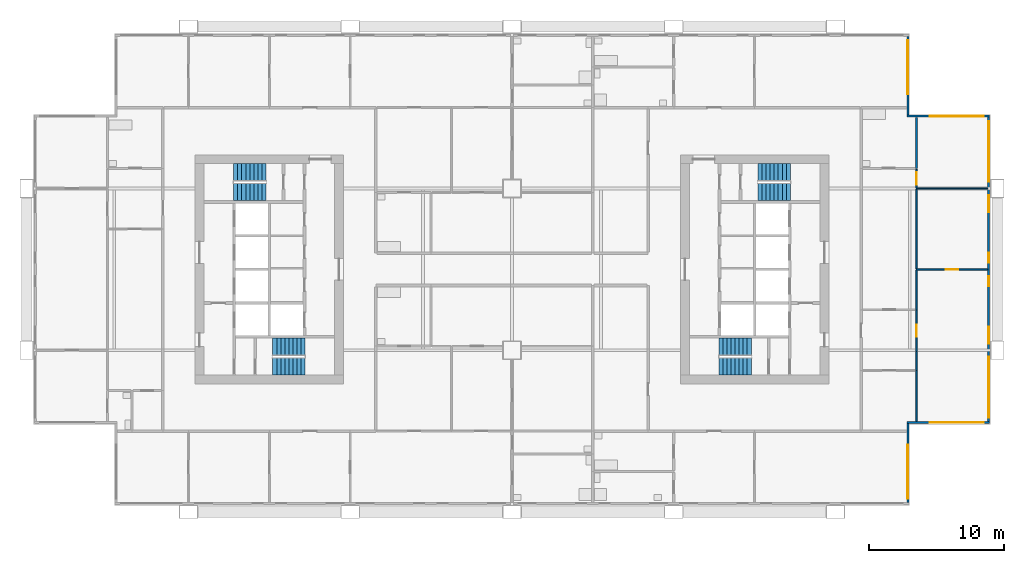
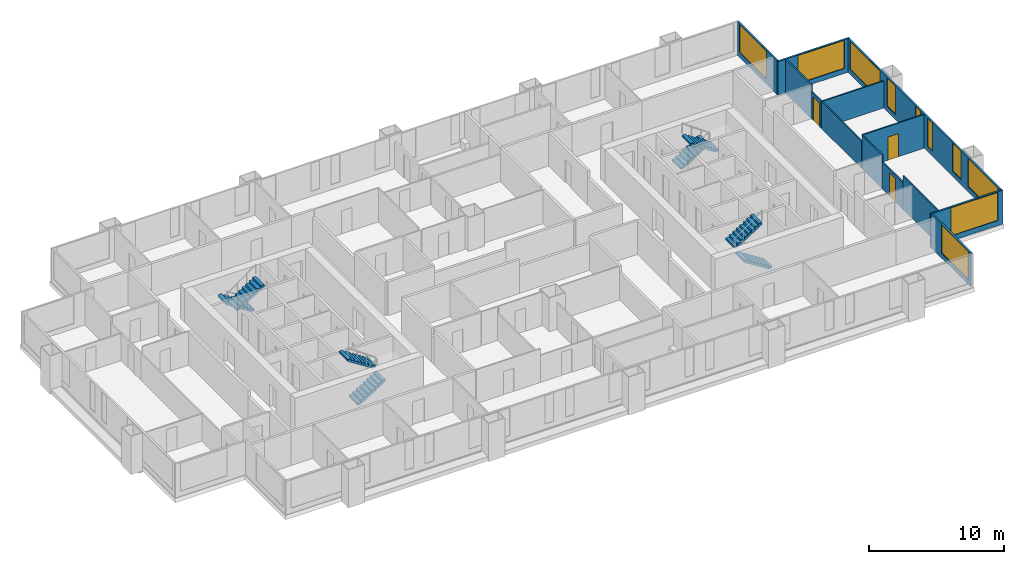
# One storey, part 9 of 11: 14 walls, 10 windows, 8 stair flights, 3 doors, 13 openings, 4 elements without a shape of their own.
"""IFC4 building model written with IfcOpenShell, lengths in metres."""

from ifc_helpers import new_model, si_unit, direction, frame, frame_2d, origin, place, context, subcontext, project, spatial, polyline, rectangle, outline, extrude, material, layer, layer_set, type_object, element, fill, aggregate, save


model = new_model("IFC4")

# Units and contexts
model_context = context("Model", 3, precision=1e-05, world=origin(), true_north=direction((0.0, 1.0)))
body_context = subcontext(model_context, "Body", "Model", "MODEL_VIEW")
ifc_project = project(units=[si_unit("LENGTHUNIT", "METRE"), si_unit("AREAUNIT", "SQUARE_METRE"), si_unit("VOLUMEUNIT", "CUBIC_METRE"), si_unit("PLANEANGLEUNIT", "RADIAN"), si_unit("MASSUNIT", "GRAM", prefix="KILO")], contexts=[model_context])

# Site, building, storey
site_placement = place(None, origin())
site = spatial("IfcSite", under=ifc_project, at=site_placement, CompositionType="ELEMENT")
building_placement = place(site_placement, origin())
building = spatial("IfcBuilding", under=site, at=building_placement, Name="Kitamizu Gate Tower and Museum", CompositionType="ELEMENT")
storey_placement = place(building_placement, frame((0.0, 0.0, 124.199951171875)))
storey = spatial("IfcBuildingStorey", under=building, at=storey_placement, Name="L32", CompositionType="ELEMENT", Elevation=124.199951171875)

# Wall, opening, door
ifc_material_1 = material(Name="Gypsum board on galvanised stud")
ifc_layer_1 = layer(ifc_material_1, 0.10009765625)
ifc_layer_set_1 = layer_set([ifc_layer_1], Name="Gypsum board on galvanised stud")
wall_type_1 = type_object("IfcWallType", Name="Partition 100 NOT RATED", PredefinedType="PARTITIONING", material=ifc_layer_set_1)
wall_1_placement = place(storey_placement, frame((71.280029296875, 30.0, 0.0), z_axis=(0.0, 0.0, 1.0), x_axis=(-1.0, 0.0, 0.0)))
wall_1 = element("IfcWall", 1, at=wall_1_placement, inside=storey, type_object=wall_type_1, Name="Partition L32-098", PredefinedType="PARTITIONING", context=body_context, shape_type="SweptSolid", body=[
    extrude(rectangle(XDim=5.280029296875, YDim=0.10009765625, at=frame_2d((2.64013671875, 0.0))), origin(), (0.0, 0.0, 1.0), 3.050048828125),
])
opening_1_placement = place(wall_1_placement, frame((2.18994140625, 0.0, 0.0)))
opening_1 = element("IfcOpeningElement", 2, at=opening_1_placement, cuts=wall_1, Name="Opening L32-038", PredefinedType="OPENING", context=body_context, shape_type="SweptSolid", body=[
    extrude(rectangle(XDim=0.89990234375, YDim=2.10009765625, at=frame_2d((0.449951171875, 1.050048828125))), frame((0.0, 0.06005859375, 0.0), z_axis=(0.0, -1.0, 0.0), x_axis=(1.0, 0.0, 0.0)), (0.0, 0.0, 1.0), 0.1201171875),
])
ifc_material_2 = material(Name="Timber door set", Category="wood")
door_type = type_object("IfcDoorType", Name="Room door 900", OperationType="NOTDEFINED", PredefinedType="DOOR", material=ifc_material_2)
door_1_placement = place(opening_1_placement, frame((0.89990234375, 0.0, 0.0), x_axis=(-1.0, 0.0, 0.0)))
door_1 = element("IfcDoor", 3, at=door_1_placement, inside=storey, type_object=door_type, Name="Door L32-038", OperationType="SINGLE_SWING_LEFT", OverallHeight=2.10009765625, OverallWidth=0.89990234375, PredefinedType="DOOR", context=body_context, shape_type="SweptSolid", body=[
    extrude(rectangle(XDim=0.89990234375, YDim=2.10009765625, at=frame_2d((0.449951171875, 1.050048828125))), frame((0.0, 0.02490234375, 0.0), z_axis=(0.0, -1.0, 0.0), x_axis=(1.0, 0.0, 0.0)), (0.0, 0.0, 1.0), 0.050048828125),
])
fill(opening_1, door_1)

# Wall
wall_2_placement = place(storey_placement, frame((66.0, 22.5, 0.0), z_axis=(0.0, 0.0, 1.0), x_axis=(0.0, -1.0, 0.0)))
element("IfcWall", 4, at=wall_2_placement, inside=storey, type_object=wall_type_1, Name="Partition L32-099", PredefinedType="PARTITIONING", context=body_context, shape_type="SweptSolid", body=[
    extrude(rectangle(XDim=3.780029296875, YDim=0.10009765625, at=frame_2d((1.89013671875, 0.0))), origin(), (0.0, 0.0, 1.0), 3.050048828125),
])

# Wall, opening, door
wall_3_placement = place(storey_placement, frame((66.0, 27.0, 0.0), z_axis=(0.0, 0.0, 1.0), x_axis=(0.0, -1.0, 0.0)))
wall_3 = element("IfcWall", 5, at=wall_3_placement, inside=storey, type_object=wall_type_1, Name="Partition L32-100", PredefinedType="PARTITIONING", context=body_context, shape_type="SweptSolid", body=[
    extrude(rectangle(XDim=3.10009765625, YDim=0.10009765625, at=frame_2d((1.550048828125, 0.0))), origin(), (0.0, 0.0, 1.0), 2.449951171875),
])
opening_2_placement = place(wall_3_placement, frame((1.10009765625, 0.0, 0.0)))
opening_2 = element("IfcOpeningElement", 6, at=opening_2_placement, cuts=wall_3, Name="Opening L32-036", PredefinedType="OPENING", context=body_context, shape_type="SweptSolid", body=[
    extrude(rectangle(XDim=0.89990234375, YDim=2.10009765625, at=frame_2d((0.449951171875, 1.050048828125))), frame((0.0, 0.06005859375, 0.0), z_axis=(0.0, -1.0, 0.0), x_axis=(1.0, 0.0, 0.0)), (0.0, 0.0, 1.0), 0.1201171875),
])
door_2_placement = place(opening_2_placement, origin())
door_2 = element("IfcDoor", 7, at=door_2_placement, inside=storey, type_object=door_type, Name="Door L32-036", OperationType="SINGLE_SWING_RIGHT", OverallHeight=2.10009765625, OverallWidth=0.89990234375, PredefinedType="DOOR", context=body_context, shape_type="SweptSolid", body=[
    extrude(rectangle(XDim=0.89990234375, YDim=2.10009765625, at=frame_2d((0.449951171875, 1.050048828125))), frame((0.0, 0.02490234375, 0.0), z_axis=(0.0, -1.0, 0.0), x_axis=(1.0, 0.0, 0.0)), (0.0, 0.0, 1.0), 0.050048828125),
])
fill(opening_2, door_2)

# Walls
wall_4_placement = place(storey_placement, frame((66.0, 23.89990234375, 0.0), z_axis=(0.0, 0.0, 1.0), x_axis=(0.0, -1.0, 0.0)))
element("IfcWall", 8, at=wall_4_placement, inside=storey, type_object=wall_type_1, Name="Partition L32-101", PredefinedType="PARTITIONING", context=body_context, shape_type="SweptSolid", body=[
    extrude(rectangle(XDim=1.39990234375, YDim=0.10009765625, at=frame_2d((0.699951171875, 0.0))), origin(), (0.0, 0.0, 1.0), 3.050048828125),
])
wall_5_placement = place(storey_placement, frame((66.0, 29.949951171875, 0.0), z_axis=(0.0, 0.0, 1.0), x_axis=(0.0, -1.0, 0.0)))
element("IfcWall", 9, at=wall_5_placement, inside=storey, type_object=wall_type_1, Name="Partition L32-102", PredefinedType="PARTITIONING", context=body_context, shape_type="SweptSolid", body=[
    extrude(rectangle(XDim=2.949951171875, YDim=0.10009765625, at=frame_2d((1.47509765625, 0.0))), origin(), (0.0, 0.0, 1.0), 3.050048828125),
])
wall_6_placement = place(storey_placement, frame((71.280029296875, 36.0, 0.0), z_axis=(0.0, 0.0, 1.0), x_axis=(-1.0, 0.0, 0.0)))
element("IfcWall", 10, at=wall_6_placement, inside=storey, type_object=wall_type_1, Name="Partition L32-103", PredefinedType="PARTITIONING", context=body_context, shape_type="SweptSolid", body=[
    extrude(rectangle(XDim=5.280029296875, YDim=0.10009765625, at=frame_2d((2.64013671875, 0.0))), origin(), (0.0, 0.0, 1.0), 2.449951171875),
])
wall_7_placement = place(storey_placement, frame((66.0, 35.949951171875, 0.0), z_axis=(0.0, 0.0, 1.0), x_axis=(0.0, -1.0, 0.0)))
element("IfcWall", 11, at=wall_7_placement, inside=storey, type_object=wall_type_1, Name="Partition L32-104", PredefinedType="PARTITIONING", context=body_context, shape_type="SweptSolid", body=[
    extrude(rectangle(XDim=5.89990234375, YDim=0.10009765625, at=frame_2d((2.949951171875, 0.0))), origin(), (0.0, 0.0, 1.0), 2.449951171875),
])

# Wall, opening, door
wall_8_placement = place(storey_placement, frame((66.0, 37.425048828125, 0.0), z_axis=(0.0, 0.0, 1.0), x_axis=(0.0, -1.0, 0.0)))
wall_8 = element("IfcWall", 12, at=wall_8_placement, inside=storey, type_object=wall_type_1, Name="Partition L32-105", PredefinedType="PARTITIONING", context=body_context, shape_type="SweptSolid", body=[
    extrude(rectangle(XDim=1.375, YDim=0.10009765625, at=frame_2d((0.6875, 0.0))), origin(), (0.0, 0.0, 1.0), 2.449951171875),
])
opening_3_placement = place(wall_8_placement, frame((0.237548828125, 0.0, 0.0)))
opening_3 = element("IfcOpeningElement", 13, at=opening_3_placement, cuts=wall_8, Name="Opening L32-039", PredefinedType="OPENING", context=body_context, shape_type="SweptSolid", body=[
    extrude(rectangle(XDim=0.89990234375, YDim=2.10009765625, at=frame_2d((0.449951171875, 1.050048828125))), frame((0.0, 0.06005859375, 0.0), z_axis=(0.0, -1.0, 0.0), x_axis=(1.0, 0.0, 0.0)), (0.0, 0.0, 1.0), 0.1201171875),
])
door_3_placement = place(opening_3_placement, origin())
door_3 = element("IfcDoor", 14, at=door_3_placement, inside=storey, type_object=door_type, Name="Door L32-039", OperationType="SINGLE_SWING_LEFT", OverallHeight=2.10009765625, OverallWidth=0.89990234375, PredefinedType="DOOR", context=body_context, shape_type="SweptSolid", body=[
    extrude(rectangle(XDim=0.89990234375, YDim=2.10009765625, at=frame_2d((0.449951171875, 1.050048828125))), frame((0.0, 0.02490234375, 0.0), z_axis=(0.0, -1.0, 0.0), x_axis=(1.0, 0.0, 0.0)), (0.0, 0.0, 1.0), 0.050048828125),
])
fill(opening_3, door_3)

# Wall
ifc_material_3 = material(Name="Gypsum board on galvanised stud")
ifc_layer_2 = layer(ifc_material_3, 0.14990234375)
ifc_layer_set_2 = layer_set([ifc_layer_2], Name="Gypsum board on galvanised stud")
wall_type_2 = type_object("IfcWallType", Name="Partition 150", PredefinedType="PARTITIONING", material=ifc_layer_set_2)
wall_9_placement = place(storey_placement, frame((66.0, 41.280029296875, 0.0), z_axis=(0.0, 0.0, 1.0), x_axis=(0.0, -1.0, 0.0)))
element("IfcWall", 15, at=wall_9_placement, inside=storey, type_object=wall_type_2, Name="Partition L32-106", PredefinedType="PARTITIONING", context=body_context, shape_type="SweptSolid", body=[
    extrude(rectangle(XDim=3.780029296875, YDim=0.14990234375, at=frame_2d((1.89013671875, 0.0))), origin(), (0.0, 0.0, 1.0), 3.050048828125),
])

# Wall, opening, window
ifc_material_4 = material(Name="Bronze anodised aluminium frame with insulated spandrel and tinted glass", Category="aluminium")
ifc_layer_3 = layer(ifc_material_4, 0.14990234375)
ifc_layer_set_3 = layer_set([ifc_layer_3], Name="Bronze anodised aluminium frame with insulated spandrel and tinted glass")
wall_type_3 = type_object("IfcWallType", Name="WINDOW WALL 150 BRONZE FRAME EI 30", PredefinedType="ELEMENTEDWALL", material=ifc_layer_set_3)
wall_10_placement = place(storey_placement, frame((65.364990234375, 12.7099609375, 0.0), z_axis=(0.0, 0.0, 1.0), x_axis=(0.0, 1.0, 0.0)))
wall_10 = element("IfcWall", 16, at=wall_10_placement, inside=storey, type_object=wall_type_3, Name="Window wall east L32", PredefinedType="ELEMENTEDWALL", context=body_context, shape_type="SweptSolid", body=[
    extrude(rectangle(XDim=5.85009765625, YDim=0.14990234375, at=frame_2d((2.925048828125, 0.0))), origin(), (0.0, 0.0, 1.0), 3.050048828125),
])
opening_4_placement = place(wall_10_placement, frame((0.2900390625, 0.0, 0.449951171875)))
opening_4 = element("IfcOpeningElement", 17, at=opening_4_placement, cuts=wall_10, Name="Opening W16", PredefinedType="OPENING", context=body_context, shape_type="SweptSolid", body=[
    extrude(rectangle(XDim=4.0, YDim=2.550048828125, at=frame_2d((2.0, 1.27490234375))), frame((0.0, 0.0849609375, 0.0), z_axis=(0.0, -1.0, 0.0), x_axis=(1.0, 0.0, 0.0)), (0.0, 0.0, 1.0), 0.169921875),
])
ifc_material_5 = material(Name="Bronze anodised aluminium frame, tinted triple glazing", Category="aluminium")
window_type_1 = type_object("IfcWindowType", Name="WINDOW 4000 x 2550 SILL 450", PartitioningType="SINGLE_PANEL", PredefinedType="WINDOW", material=ifc_material_5)
window_1_placement = place(opening_4_placement, origin())
window_1 = element("IfcWindow", 18, at=window_1_placement, inside=storey, type_object=window_type_1, Name="Window W16 L32", OverallHeight=2.550048828125, OverallWidth=4.0, PartitioningType="SINGLE_PANEL", PredefinedType="WINDOW", context=body_context, shape_type="SweptSolid", body=[
    extrude(rectangle(XDim=4.0, YDim=2.550048828125, at=frame_2d((2.0, 1.27490234375))), frame((0.0, 0.030029296875, 0.0), z_axis=(0.0, -1.0, 0.0), x_axis=(1.0, 0.0, 0.0)), (0.0, 0.0, 1.0), 0.06005859375),
])
fill(opening_4, window_1)

wall_11_placement = place(storey_placement, frame((65.2900390625, 18.635009765625, 0.0), z_axis=(0.0, 0.0, 1.0), x_axis=(1.0, 0.0, 0.0)))
wall_11 = element("IfcWall", 19, at=wall_11_placement, inside=storey, type_object=wall_type_3, Name="Window wall south L32", PredefinedType="ELEMENTEDWALL", context=body_context, shape_type="SweptSolid", body=[
    extrude(rectangle(XDim=6.14990234375, YDim=0.14990234375, at=frame_2d((3.074951171875, 0.0))), origin(), (0.0, 0.0, 1.0), 3.050048828125),
])
opening_5_placement = place(wall_11_placement, frame((1.7099609375, 0.0, 0.449951171875)))
opening_5 = element("IfcOpeningElement", 20, at=opening_5_placement, cuts=wall_11, Name="Opening W16", PredefinedType="OPENING", context=body_context, shape_type="SweptSolid", body=[
    extrude(rectangle(XDim=4.0, YDim=2.550048828125, at=frame_2d((2.0, 1.27490234375))), frame((0.0, 0.0849609375, 0.0), z_axis=(0.0, -1.0, 0.0), x_axis=(1.0, 0.0, 0.0)), (0.0, 0.0, 1.0), 0.169921875),
])
window_2_placement = place(opening_5_placement, origin())
window_2 = element("IfcWindow", 21, at=window_2_placement, inside=storey, type_object=window_type_1, Name="Window W16 L32", OverallHeight=2.550048828125, OverallWidth=4.0, PartitioningType="SINGLE_PANEL", PredefinedType="WINDOW", context=body_context, shape_type="SweptSolid", body=[
    extrude(rectangle(XDim=4.0, YDim=2.550048828125, at=frame_2d((2.0, 1.27490234375))), frame((0.0, 0.030029296875, 0.0), z_axis=(0.0, -1.0, 0.0), x_axis=(1.0, 0.0, 0.0)), (0.0, 0.0, 1.0), 0.06005859375),
])
fill(opening_5, window_2)

# Wall, openings, windows
wall_12_placement = place(storey_placement, frame((71.364990234375, 18.7099609375, 0.0), z_axis=(0.0, 0.0, 1.0), x_axis=(0.0, 1.0, 0.0)))
wall_12 = element("IfcWall", 22, at=wall_12_placement, inside=storey, type_object=wall_type_3, Name="Window wall east L32", PredefinedType="ELEMENTEDWALL", context=body_context, shape_type="SweptSolid", body=[
    extrude(rectangle(XDim=22.580078125, YDim=0.14990234375, at=frame_2d((11.2900390625, 0.0))), origin(), (0.0, 0.0, 1.0), 3.050048828125),
])
opening_6_placement = place(wall_12_placement, frame((0.2900390625, 0.0, 0.449951171875)))
opening_6 = element("IfcOpeningElement", 23, at=opening_6_placement, cuts=wall_12, Name="Opening W15", PredefinedType="OPENING", context=body_context, shape_type="SweptSolid", body=[
    extrude(rectangle(XDim=4.5, YDim=2.550048828125, at=frame_2d((2.25, 1.27490234375))), frame((0.0, 0.0849609375, 0.0), z_axis=(0.0, -1.0, 0.0), x_axis=(1.0, 0.0, 0.0)), (0.0, 0.0, 1.0), 0.169921875),
])
opening_7_placement = place(wall_12_placement, frame((5.7900390625, 0.0, 0.449951171875)))
opening_7 = element("IfcOpeningElement", 24, at=opening_7_placement, cuts=wall_12, Name="Opening W27", PredefinedType="OPENING", context=body_context, shape_type="SweptSolid", body=[
    extrude(rectangle(XDim=1.25, YDim=2.550048828125, at=frame_2d((0.625, 1.27490234375))), frame((0.0, 0.0849609375, 0.0), z_axis=(0.0, -1.0, 0.0), x_axis=(1.0, 0.0, 0.0)), (0.0, 0.0, 1.0), 0.169921875),
])
opening_8_placement = place(wall_12_placement, frame((10.0400390625, 0.0, 0.449951171875)))
opening_8 = element("IfcOpeningElement", 25, at=opening_8_placement, cuts=wall_12, Name="Opening W25", PredefinedType="OPENING", context=body_context, shape_type="SweptSolid", body=[
    extrude(rectangle(XDim=0.75, YDim=2.550048828125, at=frame_2d((0.375, 1.27490234375))), frame((0.0, 0.0849609375, 0.0), z_axis=(0.0, -1.0, 0.0), x_axis=(1.0, 0.0, 0.0)), (0.0, 0.0, 1.0), 0.169921875),
])
opening_9_placement = place(wall_12_placement, frame((11.7900390625, 0.0, 0.449951171875)))
opening_9 = element("IfcOpeningElement", 26, at=opening_9_placement, cuts=wall_12, Name="Opening W25", PredefinedType="OPENING", context=body_context, shape_type="SweptSolid", body=[
    extrude(rectangle(XDim=0.75, YDim=2.550048828125, at=frame_2d((0.375, 1.27490234375))), frame((0.0, 0.0849609375, 0.0), z_axis=(0.0, -1.0, 0.0), x_axis=(1.0, 0.0, 0.0)), (0.0, 0.0, 1.0), 0.169921875),
])
opening_10_placement = place(wall_12_placement, frame((15.5400390625, 0.0, 0.449951171875)))
opening_10 = element("IfcOpeningElement", 27, at=opening_10_placement, cuts=wall_12, Name="Opening W27", PredefinedType="OPENING", context=body_context, shape_type="SweptSolid", body=[
    extrude(rectangle(XDim=1.25, YDim=2.550048828125, at=frame_2d((0.625, 1.27490234375))), frame((0.0, 0.0849609375, 0.0), z_axis=(0.0, -1.0, 0.0), x_axis=(1.0, 0.0, 0.0)), (0.0, 0.0, 1.0), 0.169921875),
])
opening_11_placement = place(wall_12_placement, frame((17.7900390625, 0.0, 0.449951171875)))
opening_11 = element("IfcOpeningElement", 28, at=opening_11_placement, cuts=wall_12, Name="Opening W15", PredefinedType="OPENING", context=body_context, shape_type="SweptSolid", body=[
    extrude(rectangle(XDim=4.5, YDim=2.550048828125, at=frame_2d((2.25, 1.27490234375))), frame((0.0, 0.0849609375, 0.0), z_axis=(0.0, -1.0, 0.0), x_axis=(1.0, 0.0, 0.0)), (0.0, 0.0, 1.0), 0.169921875),
])
ifc_material_6 = material(Name="Bronze anodised aluminium frame, tinted triple glazing", Category="aluminium")
window_type_2 = type_object("IfcWindowType", Name="WINDOW 1250 x 2550 SILL 450", PartitioningType="SINGLE_PANEL", PredefinedType="WINDOW", material=ifc_material_6)
window_3_placement = place(opening_7_placement, origin())
window_3 = element("IfcWindow", 29, at=window_3_placement, inside=storey, type_object=window_type_2, Name="Window W27 L32", OverallHeight=2.550048828125, OverallWidth=1.25, PartitioningType="SINGLE_PANEL", PredefinedType="WINDOW", context=body_context, shape_type="SweptSolid", body=[
    extrude(rectangle(XDim=1.25, YDim=2.550048828125, at=frame_2d((0.625, 1.27490234375))), frame((0.0, 0.030029296875, 0.0), z_axis=(0.0, -1.0, 0.0), x_axis=(1.0, 0.0, 0.0)), (0.0, 0.0, 1.0), 0.06005859375),
])
fill(opening_7, window_3)
window_4_placement = place(opening_10_placement, origin())
window_4 = element("IfcWindow", 30, at=window_4_placement, inside=storey, type_object=window_type_2, Name="Window W27 L32", OverallHeight=2.550048828125, OverallWidth=1.25, PartitioningType="SINGLE_PANEL", PredefinedType="WINDOW", context=body_context, shape_type="SweptSolid", body=[
    extrude(rectangle(XDim=1.25, YDim=2.550048828125, at=frame_2d((0.625, 1.27490234375))), frame((0.0, 0.030029296875, 0.0), z_axis=(0.0, -1.0, 0.0), x_axis=(1.0, 0.0, 0.0)), (0.0, 0.0, 1.0), 0.06005859375),
])
fill(opening_10, window_4)
ifc_material_7 = material(Name="Bronze anodised aluminium frame, tinted triple glazing", Category="aluminium")
window_type_3 = type_object("IfcWindowType", Name="WINDOW 4500 x 2550 SILL 450", PartitioningType="SINGLE_PANEL", PredefinedType="WINDOW", material=ifc_material_7)
window_5_placement = place(opening_6_placement, origin())
window_5 = element("IfcWindow", 31, at=window_5_placement, inside=storey, type_object=window_type_3, Name="Window W15 L32", OverallHeight=2.550048828125, OverallWidth=4.5, PartitioningType="SINGLE_PANEL", PredefinedType="WINDOW", context=body_context, shape_type="SweptSolid", body=[
    extrude(rectangle(XDim=4.5, YDim=2.550048828125, at=frame_2d((2.25, 1.27490234375))), frame((0.0, 0.030029296875, 0.0), z_axis=(0.0, -1.0, 0.0), x_axis=(1.0, 0.0, 0.0)), (0.0, 0.0, 1.0), 0.06005859375),
])
fill(opening_6, window_5)
window_6_placement = place(opening_11_placement, origin())
window_6 = element("IfcWindow", 32, at=window_6_placement, inside=storey, type_object=window_type_3, Name="Window W15 L32", OverallHeight=2.550048828125, OverallWidth=4.5, PartitioningType="SINGLE_PANEL", PredefinedType="WINDOW", context=body_context, shape_type="SweptSolid", body=[
    extrude(rectangle(XDim=4.5, YDim=2.550048828125, at=frame_2d((2.25, 1.27490234375))), frame((0.0, 0.030029296875, 0.0), z_axis=(0.0, -1.0, 0.0), x_axis=(1.0, 0.0, 0.0)), (0.0, 0.0, 1.0), 0.06005859375),
])
fill(opening_11, window_6)
ifc_material_8 = material(Name="Bronze anodised aluminium frame, tinted triple glazing", Category="aluminium")
window_type_4 = type_object("IfcWindowType", Name="WINDOW 750 x 2550 SILL 450", PartitioningType="SINGLE_PANEL", PredefinedType="WINDOW", material=ifc_material_8)
window_7_placement = place(opening_8_placement, origin())
window_7 = element("IfcWindow", 33, at=window_7_placement, inside=storey, type_object=window_type_4, Name="Window W25 L32", OverallHeight=2.550048828125, OverallWidth=0.75, PartitioningType="SINGLE_PANEL", PredefinedType="WINDOW", context=body_context, shape_type="SweptSolid", body=[
    extrude(rectangle(XDim=0.75, YDim=2.550048828125, at=frame_2d((0.375, 1.27490234375))), frame((0.0, 0.030029296875, 0.0), z_axis=(0.0, -1.0, 0.0), x_axis=(1.0, 0.0, 0.0)), (0.0, 0.0, 1.0), 0.06005859375),
])
fill(opening_8, window_7)
window_8_placement = place(opening_9_placement, origin())
window_8 = element("IfcWindow", 34, at=window_8_placement, inside=storey, type_object=window_type_4, Name="Window W25 L32", OverallHeight=2.550048828125, OverallWidth=0.75, PartitioningType="SINGLE_PANEL", PredefinedType="WINDOW", context=body_context, shape_type="SweptSolid", body=[
    extrude(rectangle(XDim=0.75, YDim=2.550048828125, at=frame_2d((0.375, 1.27490234375))), frame((0.0, 0.030029296875, 0.0), z_axis=(0.0, -1.0, 0.0), x_axis=(1.0, 0.0, 0.0)), (0.0, 0.0, 1.0), 0.06005859375),
])
fill(opening_9, window_8)

# Wall, opening, window
wall_13_placement = place(storey_placement, frame((65.2900390625, 41.364990234375, 0.0), z_axis=(0.0, 0.0, 1.0), x_axis=(1.0, 0.0, 0.0)))
wall_13 = element("IfcWall", 35, at=wall_13_placement, inside=storey, type_object=wall_type_3, Name="Window wall north L32", PredefinedType="ELEMENTEDWALL", context=body_context, shape_type="SweptSolid", body=[
    extrude(rectangle(XDim=6.14990234375, YDim=0.14990234375, at=frame_2d((3.074951171875, 0.0))), origin(), (0.0, 0.0, 1.0), 3.050048828125),
])
opening_12_placement = place(wall_13_placement, frame((1.7099609375, 0.0, 0.449951171875)))
opening_12 = element("IfcOpeningElement", 36, at=opening_12_placement, cuts=wall_13, Name="Opening W16", PredefinedType="OPENING", context=body_context, shape_type="SweptSolid", body=[
    extrude(rectangle(XDim=4.0, YDim=2.550048828125, at=frame_2d((2.0, 1.27490234375))), frame((0.0, 0.0849609375, 0.0), z_axis=(0.0, -1.0, 0.0), x_axis=(1.0, 0.0, 0.0)), (0.0, 0.0, 1.0), 0.169921875),
])
window_9_placement = place(opening_12_placement, origin())
window_9 = element("IfcWindow", 37, at=window_9_placement, inside=storey, type_object=window_type_1, Name="Window W16 L32", OverallHeight=2.550048828125, OverallWidth=4.0, PartitioningType="SINGLE_PANEL", PredefinedType="WINDOW", context=body_context, shape_type="SweptSolid", body=[
    extrude(rectangle(XDim=4.0, YDim=2.550048828125, at=frame_2d((2.0, 1.27490234375))), frame((0.0, 0.030029296875, 0.0), z_axis=(0.0, -1.0, 0.0), x_axis=(1.0, 0.0, 0.0)), (0.0, 0.0, 1.0), 0.06005859375),
])
fill(opening_12, window_9)

wall_14_placement = place(storey_placement, frame((65.364990234375, 41.43994140625, 0.0), z_axis=(0.0, 0.0, 1.0), x_axis=(0.0, 1.0, 0.0)))
wall_14 = element("IfcWall", 38, at=wall_14_placement, inside=storey, type_object=wall_type_3, Name="Window wall east L32", PredefinedType="ELEMENTEDWALL", context=body_context, shape_type="SweptSolid", body=[
    extrude(rectangle(XDim=5.85009765625, YDim=0.14990234375, at=frame_2d((2.925048828125, 0.0))), origin(), (0.0, 0.0, 1.0), 3.050048828125),
])
opening_13_placement = place(wall_14_placement, frame((1.56005859375, 0.0, 0.449951171875)))
opening_13 = element("IfcOpeningElement", 39, at=opening_13_placement, cuts=wall_14, Name="Opening W16", PredefinedType="OPENING", context=body_context, shape_type="SweptSolid", body=[
    extrude(rectangle(XDim=4.0, YDim=2.550048828125, at=frame_2d((2.0, 1.27490234375))), frame((0.0, 0.0849609375, 0.0), z_axis=(0.0, -1.0, 0.0), x_axis=(1.0, 0.0, 0.0)), (0.0, 0.0, 1.0), 0.169921875),
])
window_10_placement = place(opening_13_placement, origin())
window_10 = element("IfcWindow", 40, at=window_10_placement, inside=storey, type_object=window_type_1, Name="Window W16 L32", OverallHeight=2.550048828125, OverallWidth=4.0, PartitioningType="SINGLE_PANEL", PredefinedType="WINDOW", context=body_context, shape_type="SweptSolid", body=[
    extrude(rectangle(XDim=4.0, YDim=2.550048828125, at=frame_2d((2.0, 1.27490234375))), frame((0.0, 0.030029296875, 0.0), z_axis=(0.0, -1.0, 0.0), x_axis=(1.0, 0.0, 0.0)), (0.0, 0.0, 1.0), 0.06005859375),
])
fill(opening_13, window_10)

# Stair, stair flights
ifc_material_9 = material(Name="Concrete Fc42", Category="concrete")
stair_type = type_object("IfcStairType", Name="Exit stair 1275 wide 192 rise 300 going", PredefinedType="HALF_TURN_STAIR", material=ifc_material_9)
stair_1_placement = place(storey_placement, origin())
stair_1 = element("IfcStair", 41, at=stair_1_placement, inside=storey, type_object=stair_type, Name="Exit stair ST1", PredefinedType="HALF_TURN_STAIR")
ifc_material_10 = material(Name="Concrete Fc42", Category="concrete")
stair_flight_type = type_object("IfcStairFlightType", Name="Stair flight 1275 wide 192 rise 300 going", PredefinedType="STRAIGHT", material=ifc_material_10)
stair_flight_1_placement = place(storey_placement, frame((18.25, 22.78759765625, 0.0), z_axis=(0.0, 0.0, 1.0), x_axis=(1.0, 0.0, 0.0)))
stair_flight_1 = element("IfcStairFlight", 42, at=stair_flight_1_placement, type_object=stair_flight_type, Name="ST1 flight 1", NumberOfRisers=9, NumberOfTreads=8, PredefinedType="STRAIGHT", RiserHeight=0.191666667, TreadLength=0.3, context=body_context, shape_type="SweptSolid", body=[
    extrude(outline(polyline([(0.0, 0.0), (0.0, 0.191650390625), (0.300048828125, 0.191650390625), (0.300048828125, 0.38330078125), (0.60009765625, 0.38330078125), (0.60009765625, 0.574951171875), (0.89990234375, 0.574951171875), (0.89990234375, 0.7666015625), (1.199951171875, 0.7666015625), (1.199951171875, 0.958251953125), (1.5, 0.958251953125), (1.5, 1.14990234375), (1.800048828125, 1.14990234375), (1.800048828125, 1.341552734375), (2.10009765625, 1.341552734375), (2.10009765625, 1.533447265625), (2.39990234375, 1.533447265625), (2.39990234375, 1.72509765625), (2.39990234375, 1.35546875), (0.2783203125, 0.0), (0.0, 0.0)])), frame((0.0, 0.637451171875, 0.0), z_axis=(0.0, -1.0, 0.0), x_axis=(1.0, 0.0, 0.0)), (0.0, 0.0, 1.0), 1.27490234375),
])
stair_flight_2_placement = place(storey_placement, frame((20.64990234375, 24.262451171875, 1.72509765625), z_axis=(0.0, 0.0, 1.0), x_axis=(-1.0, 0.0, 0.0)))
stair_flight_2 = element("IfcStairFlight", 43, at=stair_flight_2_placement, type_object=stair_flight_type, Name="ST1 flight 2", NumberOfRisers=9, NumberOfTreads=8, PredefinedType="STRAIGHT", RiserHeight=0.191666667, TreadLength=0.3, context=body_context, shape_type="SweptSolid", body=[
    extrude(outline(polyline([(0.0, 0.0), (0.0, 0.191650390625), (0.300048828125, 0.191650390625), (0.300048828125, 0.38330078125), (0.60009765625, 0.38330078125), (0.60009765625, 0.574951171875), (0.89990234375, 0.574951171875), (0.89990234375, 0.7666015625), (1.199951171875, 0.7666015625), (1.199951171875, 0.958251953125), (1.5, 0.958251953125), (1.5, 1.14990234375), (1.800048828125, 1.14990234375), (1.800048828125, 1.341552734375), (2.10009765625, 1.341552734375), (2.10009765625, 1.533447265625), (2.39990234375, 1.533447265625), (2.39990234375, 1.72509765625), (2.39990234375, 1.35546875), (0.2783203125, 0.0), (0.0, 0.0)])), frame((0.0, 0.637451171875, 0.0), z_axis=(0.0, -1.0, 0.0), x_axis=(1.0, 0.0, 0.0)), (0.0, 0.0, 1.0), 1.27490234375),
])
aggregate(stair_1, [stair_flight_1, stair_flight_2])

stair_2_placement = place(storey_placement, origin())
stair_2 = element("IfcStair", 44, at=stair_2_placement, inside=storey, type_object=stair_type, Name="Exit stair ST2", PredefinedType="HALF_TURN_STAIR")
stair_flight_3_placement = place(storey_placement, frame((17.75, 37.21240234375, 0.0), z_axis=(0.0, 0.0, 1.0), x_axis=(-1.0, 0.0, 0.0)))
stair_flight_3 = element("IfcStairFlight", 45, at=stair_flight_3_placement, type_object=stair_flight_type, Name="ST2 flight 1", NumberOfRisers=9, NumberOfTreads=8, PredefinedType="STRAIGHT", RiserHeight=0.191666667, TreadLength=0.3, context=body_context, shape_type="SweptSolid", body=[
    extrude(outline(polyline([(0.0, 0.0), (0.0, 0.191650390625), (0.300048828125, 0.191650390625), (0.300048828125, 0.38330078125), (0.60009765625, 0.38330078125), (0.60009765625, 0.574951171875), (0.89990234375, 0.574951171875), (0.89990234375, 0.7666015625), (1.199951171875, 0.7666015625), (1.199951171875, 0.958251953125), (1.5, 0.958251953125), (1.5, 1.14990234375), (1.800048828125, 1.14990234375), (1.800048828125, 1.341552734375), (2.10009765625, 1.341552734375), (2.10009765625, 1.533447265625), (2.39990234375, 1.533447265625), (2.39990234375, 1.72509765625), (2.39990234375, 1.35546875), (0.2783203125, 0.0), (0.0, 0.0)])), frame((0.0, 0.637451171875, 0.0), z_axis=(0.0, -1.0, 0.0), x_axis=(1.0, 0.0, 0.0)), (0.0, 0.0, 1.0), 1.27490234375),
])
stair_flight_4_placement = place(storey_placement, frame((15.35009765625, 35.737548828125, 1.72509765625), z_axis=(0.0, 0.0, 1.0), x_axis=(1.0, 0.0, 0.0)))
stair_flight_4 = element("IfcStairFlight", 46, at=stair_flight_4_placement, type_object=stair_flight_type, Name="ST2 flight 2", NumberOfRisers=9, NumberOfTreads=8, PredefinedType="STRAIGHT", RiserHeight=0.191666667, TreadLength=0.3, context=body_context, shape_type="SweptSolid", body=[
    extrude(outline(polyline([(0.0, 0.0), (0.0, 0.191650390625), (0.300048828125, 0.191650390625), (0.300048828125, 0.38330078125), (0.60009765625, 0.38330078125), (0.60009765625, 0.574951171875), (0.89990234375, 0.574951171875), (0.89990234375, 0.7666015625), (1.199951171875, 0.7666015625), (1.199951171875, 0.958251953125), (1.5, 0.958251953125), (1.5, 1.14990234375), (1.800048828125, 1.14990234375), (1.800048828125, 1.341552734375), (2.10009765625, 1.341552734375), (2.10009765625, 1.533447265625), (2.39990234375, 1.533447265625), (2.39990234375, 1.72509765625), (2.39990234375, 1.35546875), (0.2783203125, 0.0), (0.0, 0.0)])), frame((0.0, 0.637451171875, 0.0), z_axis=(0.0, -1.0, 0.0), x_axis=(1.0, 0.0, 0.0)), (0.0, 0.0, 1.0), 1.27490234375),
])
aggregate(stair_2, [stair_flight_3, stair_flight_4])

stair_3_placement = place(storey_placement, origin())
stair_3 = element("IfcStair", 47, at=stair_3_placement, inside=storey, type_object=stair_type, Name="Exit stair ST3", PredefinedType="HALF_TURN_STAIR")
stair_flight_5_placement = place(storey_placement, frame((53.75, 22.78759765625, 0.0), z_axis=(0.0, 0.0, 1.0), x_axis=(-1.0, 0.0, 0.0)))
stair_flight_5 = element("IfcStairFlight", 48, at=stair_flight_5_placement, type_object=stair_flight_type, Name="ST3 flight 1", NumberOfRisers=9, NumberOfTreads=8, PredefinedType="STRAIGHT", RiserHeight=0.191666667, TreadLength=0.3, context=body_context, shape_type="SweptSolid", body=[
    extrude(outline(polyline([(0.0, 0.0), (0.0, 0.191650390625), (0.300048828125, 0.191650390625), (0.300048828125, 0.38330078125), (0.60009765625, 0.38330078125), (0.60009765625, 0.574951171875), (0.89990234375, 0.574951171875), (0.89990234375, 0.7666015625), (1.199951171875, 0.7666015625), (1.199951171875, 0.958251953125), (1.5, 0.958251953125), (1.5, 1.14990234375), (1.800048828125, 1.14990234375), (1.800048828125, 1.341552734375), (2.10009765625, 1.341552734375), (2.10009765625, 1.533447265625), (2.39990234375, 1.533447265625), (2.39990234375, 1.72509765625), (2.39990234375, 1.35546875), (0.2783203125, 0.0), (0.0, 0.0)])), frame((0.0, 0.637451171875, 0.0), z_axis=(0.0, -1.0, 0.0), x_axis=(1.0, 0.0, 0.0)), (0.0, 0.0, 1.0), 1.27490234375),
])
stair_flight_6_placement = place(storey_placement, frame((51.35009765625, 24.262451171875, 1.72509765625), z_axis=(0.0, 0.0, 1.0), x_axis=(1.0, 0.0, 0.0)))
stair_flight_6 = element("IfcStairFlight", 49, at=stair_flight_6_placement, type_object=stair_flight_type, Name="ST3 flight 2", NumberOfRisers=9, NumberOfTreads=8, PredefinedType="STRAIGHT", RiserHeight=0.191666667, TreadLength=0.3, context=body_context, shape_type="SweptSolid", body=[
    extrude(outline(polyline([(0.0, 0.0), (0.0, 0.191650390625), (0.300048828125, 0.191650390625), (0.300048828125, 0.38330078125), (0.60009765625, 0.38330078125), (0.60009765625, 0.574951171875), (0.89990234375, 0.574951171875), (0.89990234375, 0.7666015625), (1.199951171875, 0.7666015625), (1.199951171875, 0.958251953125), (1.5, 0.958251953125), (1.5, 1.14990234375), (1.800048828125, 1.14990234375), (1.800048828125, 1.341552734375), (2.10009765625, 1.341552734375), (2.10009765625, 1.533447265625), (2.39990234375, 1.533447265625), (2.39990234375, 1.72509765625), (2.39990234375, 1.35546875), (0.2783203125, 0.0), (0.0, 0.0)])), frame((0.0, 0.637451171875, 0.0), z_axis=(0.0, -1.0, 0.0), x_axis=(1.0, 0.0, 0.0)), (0.0, 0.0, 1.0), 1.27490234375),
])
aggregate(stair_3, [stair_flight_5, stair_flight_6])

stair_4_placement = place(storey_placement, origin())
stair_4 = element("IfcStair", 50, at=stair_4_placement, inside=storey, type_object=stair_type, Name="Exit stair ST4", PredefinedType="HALF_TURN_STAIR")
stair_flight_7_placement = place(storey_placement, frame((54.25, 37.21240234375, 0.0), z_axis=(0.0, 0.0, 1.0), x_axis=(1.0, 0.0, 0.0)))
stair_flight_7 = element("IfcStairFlight", 51, at=stair_flight_7_placement, type_object=stair_flight_type, Name="ST4 flight 1", NumberOfRisers=9, NumberOfTreads=8, PredefinedType="STRAIGHT", RiserHeight=0.191666667, TreadLength=0.3, context=body_context, shape_type="SweptSolid", body=[
    extrude(outline(polyline([(0.0, 0.0), (0.0, 0.191650390625), (0.300048828125, 0.191650390625), (0.300048828125, 0.38330078125), (0.60009765625, 0.38330078125), (0.60009765625, 0.574951171875), (0.89990234375, 0.574951171875), (0.89990234375, 0.7666015625), (1.199951171875, 0.7666015625), (1.199951171875, 0.958251953125), (1.5, 0.958251953125), (1.5, 1.14990234375), (1.800048828125, 1.14990234375), (1.800048828125, 1.341552734375), (2.10009765625, 1.341552734375), (2.10009765625, 1.533447265625), (2.39990234375, 1.533447265625), (2.39990234375, 1.72509765625), (2.39990234375, 1.35546875), (0.2783203125, 0.0), (0.0, 0.0)])), frame((0.0, 0.637451171875, 0.0), z_axis=(0.0, -1.0, 0.0), x_axis=(1.0, 0.0, 0.0)), (0.0, 0.0, 1.0), 1.27490234375),
])
stair_flight_8_placement = place(storey_placement, frame((56.64990234375, 35.737548828125, 1.72509765625), z_axis=(0.0, 0.0, 1.0), x_axis=(-1.0, 0.0, 0.0)))
stair_flight_8 = element("IfcStairFlight", 52, at=stair_flight_8_placement, type_object=stair_flight_type, Name="ST4 flight 2", NumberOfRisers=9, NumberOfTreads=8, PredefinedType="STRAIGHT", RiserHeight=0.191666667, TreadLength=0.3, context=body_context, shape_type="SweptSolid", body=[
    extrude(outline(polyline([(0.0, 0.0), (0.0, 0.191650390625), (0.300048828125, 0.191650390625), (0.300048828125, 0.38330078125), (0.60009765625, 0.38330078125), (0.60009765625, 0.574951171875), (0.89990234375, 0.574951171875), (0.89990234375, 0.7666015625), (1.199951171875, 0.7666015625), (1.199951171875, 0.958251953125), (1.5, 0.958251953125), (1.5, 1.14990234375), (1.800048828125, 1.14990234375), (1.800048828125, 1.341552734375), (2.10009765625, 1.341552734375), (2.10009765625, 1.533447265625), (2.39990234375, 1.533447265625), (2.39990234375, 1.72509765625), (2.39990234375, 1.35546875), (0.2783203125, 0.0), (0.0, 0.0)])), frame((0.0, 0.637451171875, 0.0), z_axis=(0.0, -1.0, 0.0), x_axis=(1.0, 0.0, 0.0)), (0.0, 0.0, 1.0), 1.27490234375),
])
aggregate(stair_4, [stair_flight_7, stair_flight_8])

save(model, "model.ifc")
